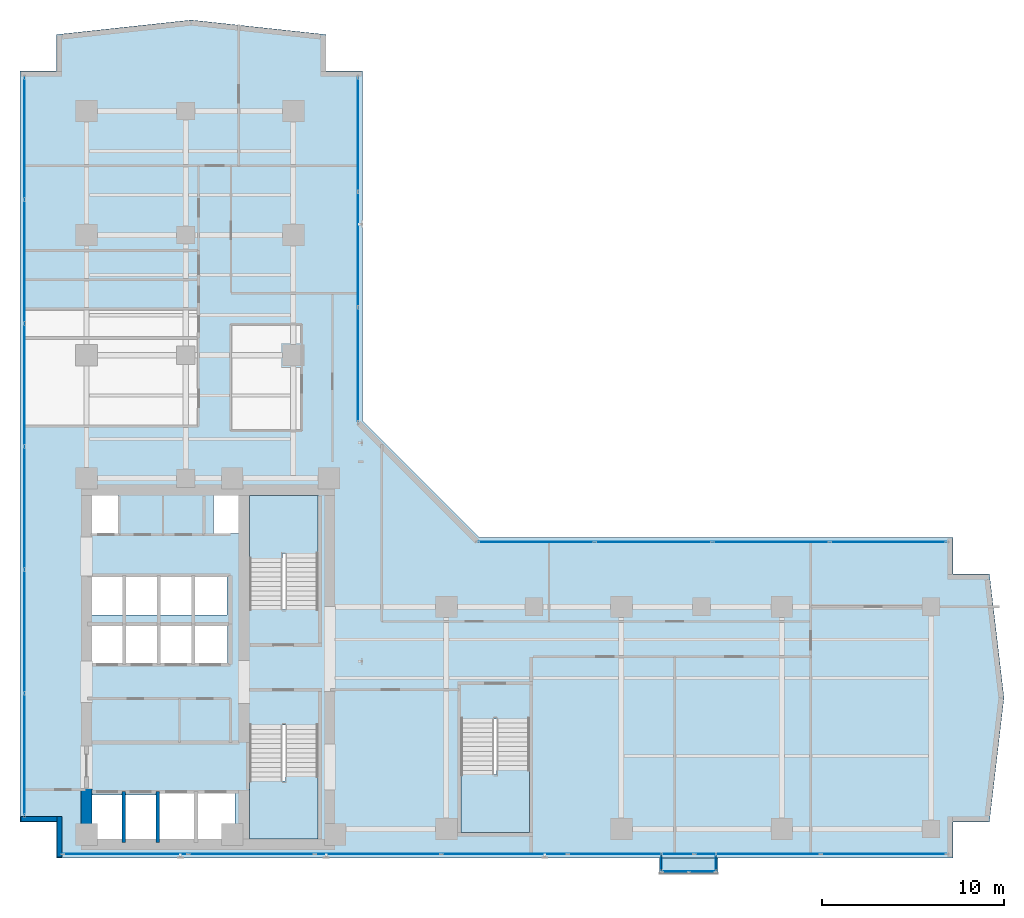
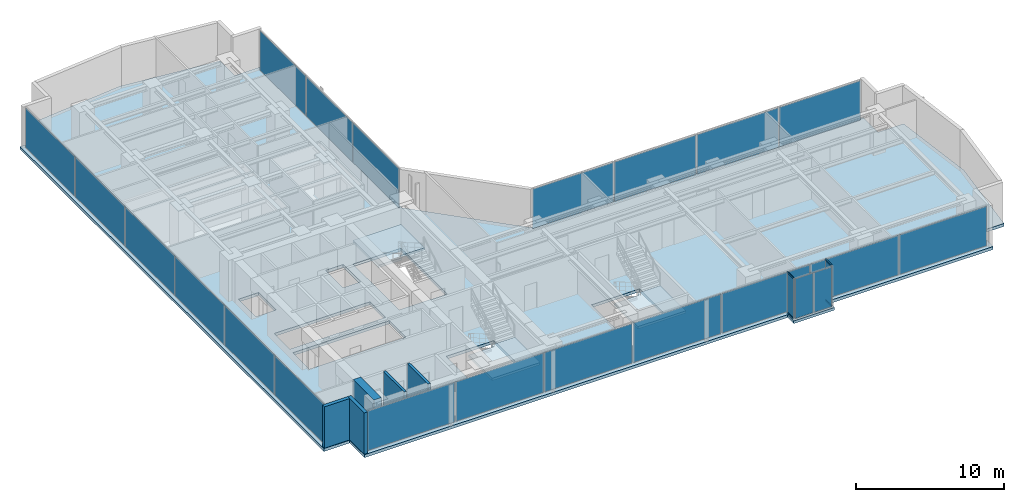
# One storey, part 18 of 26: 24 plates, 5 slabs, 5 walls, 4 members, 10 elements without a shape of their own.
"""IFC4 building model written with IfcOpenShell, lengths in metres."""

from ifc_helpers import new_model, si_unit, direction, frame, frame_2d, origin, origin_with_axes, origin_2d, place, context, subcontext, project, spatial, polyline, rectangle, hollow_rectangle, outline, extrude, source, transform, mapped, material, layer, layer_set, material_profile, profile_set, type_object, element, aggregate, save


model = new_model("IFC4")

# Units and contexts
model_context = context("Model", 3, precision=1e-05, world=origin(), true_north=direction((0.0, 1.0)))
body_context = subcontext(model_context, "Body", "Model", "MODEL_VIEW")
ifc_project = project(units=[si_unit("LENGTHUNIT", "METRE"), si_unit("AREAUNIT", "SQUARE_METRE"), si_unit("VOLUMEUNIT", "CUBIC_METRE"), si_unit("PLANEANGLEUNIT", "RADIAN"), si_unit("MASSUNIT", "GRAM", prefix="KILO")], contexts=[model_context])

# Site, building, storey
site_placement = place(None, origin())
site = spatial("IfcSite", under=ifc_project, at=site_placement, CompositionType="ELEMENT")
building_placement = place(site_placement, origin())
building = spatial("IfcBuilding", under=site, at=building_placement, Name="Kolvaren Waterfront Exchange", CompositionType="ELEMENT")
storey_placement = place(building_placement, frame((0.0, 0.0, 195.60009765625)))
storey = spatial("IfcBuildingStorey", under=building, at=storey_placement, Name="L50", CompositionType="ELEMENT", Elevation=195.60009765625)

# Curtain wall, members
ifc_material_1 = material(Name="Anodised bronze aluminium 6063-T6", Category="aluminium")
ifc_layer_1 = layer(ifc_material_1, 0.219970703125, Name="Anodised bronze aluminium 6063-T6")
ifc_layer_set_1 = layer_set([ifc_layer_1], Name="Anodised bronze aluminium 6063-T6")
curtain_wall_type_1 = type_object("IfcCurtainWallType", Name="ARC-CW-SYS3", PredefinedType="USERDEFINED", material=ifc_layer_set_1)
curtain_wall_1_placement = place(storey_placement, origin())
curtain_wall_1 = element("IfcCurtainWall", 1, at=curtain_wall_1_placement, inside=storey, type_object=curtain_wall_type_1, Name="L50 stick curtain wall CW3 (CW-L50-BOX-W)", ObjectType="STICK CURTAIN WALL", PredefinedType="USERDEFINED")
ifc_material_profile = material_profile(ifc_material_1, hollow_rectangle(XDim=0.06494140625, YDim=0.1298828125, WallThickness=0.00390625, at=origin_2d()), Name="ALU-TRN-130x65x4")
ifc_profile_set = profile_set([ifc_material_profile], Name="Anodised bronze aluminium 6063-T6")
member_type = type_object("IfcMemberType", Name="ARC-CWT-130", PredefinedType="USERDEFINED", material=ifc_profile_set)
shared_shape_1 = source(origin_with_axes(), body_context, "Body", "SweptSolid", [
    extrude(hollow_rectangle(XDim=0.06494140625, YDim=0.1298828125, WallThickness=0.00390625, at=origin_2d()), origin(), (0.0, 0.0, 1.0), 0.829833984375),
])
member_1_placement = place(storey_placement, frame((39.010009765625, 3.764892578125, 0.032470703125), z_axis=(0.0, -1.0, 0.0), x_axis=(1.0, 0.0, 0.0)))
member_1 = element("IfcMember", 2, at=member_1_placement, type_object=member_type, Name="CW3 transom 1.1", ObjectType="TRANSOM", PredefinedType="USERDEFINED", context=body_context, shape_type="MappedRepresentation", body=[
    mapped(shared_shape_1, transform((0.0, 0.0, 0.0), x_axis=(1.0, 0.0, 0.0), y_axis=(0.0, 1.0, 0.0), z_axis=(0.0, 0.0, 1.0), scale=1.0)),
])
member_2_placement = place(storey_placement, frame((39.010009765625, 3.764892578125, 3.387451171875), z_axis=(0.0, -1.0, 0.0), x_axis=(1.0, 0.0, 0.0)))
member_2 = element("IfcMember", 3, at=member_2_placement, type_object=member_type, Name="CW3 transom 1.2", ObjectType="TRANSOM", PredefinedType="USERDEFINED", context=body_context, shape_type="MappedRepresentation", body=[
    mapped(shared_shape_1, transform((0.0, 0.0, 0.0), x_axis=(1.0, 0.0, 0.0), y_axis=(0.0, 1.0, 0.0), z_axis=(0.0, 0.0, 1.0), scale=1.0)),
])

curtain_wall_2_placement = place(storey_placement, origin())
curtain_wall_2 = element("IfcCurtainWall", 4, at=curtain_wall_2_placement, inside=storey, type_object=curtain_wall_type_1, Name="L50 stick curtain wall CW3 (CW-L50-BOX-E)", ObjectType="STICK CURTAIN WALL", PredefinedType="USERDEFINED")
member_3_placement = place(storey_placement, frame((41.989990234375, 2.93505859375, 0.032470703125), z_axis=(0.0, 1.0, 0.0), x_axis=(-1.0, 0.0, 0.0)))
member_3 = element("IfcMember", 5, at=member_3_placement, type_object=member_type, Name="CW3 transom 1.1", ObjectType="TRANSOM", PredefinedType="USERDEFINED", context=body_context, shape_type="MappedRepresentation", body=[
    mapped(shared_shape_1, transform((0.0, 0.0, 0.0), x_axis=(1.0, 0.0, 0.0), y_axis=(0.0, 1.0, 0.0), z_axis=(0.0, 0.0, 1.0), scale=1.0)),
])
member_4_placement = place(storey_placement, frame((41.989990234375, 2.93505859375, 3.387451171875), z_axis=(0.0, 1.0, 0.0), x_axis=(-1.0, 0.0, 0.0)))
member_4 = element("IfcMember", 6, at=member_4_placement, type_object=member_type, Name="CW3 transom 1.2", ObjectType="TRANSOM", PredefinedType="USERDEFINED", context=body_context, shape_type="MappedRepresentation", body=[
    mapped(shared_shape_1, transform((0.0, 0.0, 0.0), x_axis=(1.0, 0.0, 0.0), y_axis=(0.0, 1.0, 0.0), z_axis=(0.0, 0.0, 1.0), scale=1.0)),
])

# Stair, slab
ifc_material_2 = material(Name="Concrete C40/50", Category="concrete")
stair_type = type_object("IfcStairType", Name="ARC-STAIR-3800", PredefinedType="HALF_TURN_STAIR", material=ifc_material_2)
stair_1_placement = place(storey_placement, origin())
stair_1 = element("IfcStair", 7, at=stair_1_placement, inside=storey, type_object=stair_type, Name="L50 Smoke-proof exit stair ST1", PredefinedType="HALF_TURN_STAIR")
ifc_layer_2 = layer(ifc_material_2, 0.199951171875, Name="Concrete C40/50")
ifc_layer_set_2 = layer_set([ifc_layer_2], Name="Concrete C40/50")
slab_type_1 = type_object("IfcSlabType", Name="STR-LANDING-200", PredefinedType="LANDING", material=ifc_layer_set_2)
slab_1_placement = place(storey_placement, frame((0.0, 0.0, 1.77587890625)))
slab_1 = element("IfcSlab", 8, at=slab_1_placement, type_object=slab_type_1, Name="ST1 landing 1", PredefinedType="LANDING", context=body_context, shape_type="SweptSolid", body=[
    extrude(outline(polyline([(16.39990234375, 7.840087890625), (16.39990234375, 4.64990234375), (20.159912109375, 4.64990234375), (20.159912109375, 8.10009765625), (18.360107421875, 8.10009765625), (18.360107421875, 7.840087890625), (16.39990234375, 7.840087890625)])), origin(), (0.0, 0.0, 1.0), 0.199951171875),
])
aggregate(stair_1, [slab_1])

stair_2_placement = place(storey_placement, origin())
stair_2 = element("IfcStair", 9, at=stair_2_placement, inside=storey, type_object=stair_type, Name="L50 Smoke-proof exit stair ST2", PredefinedType="HALF_TURN_STAIR")
slab_2_placement = place(storey_placement, frame((0.0, 0.0, 1.77587890625)))
slab_2 = element("IfcSlab", 10, at=slab_2_placement, type_object=slab_type_1, Name="ST2 landing 1", PredefinedType="LANDING", context=body_context, shape_type="SweptSolid", body=[
    extrude(outline(polyline([(20.159912109375, 20.31005859375), (20.159912109375, 23.5), (16.39990234375, 23.5), (16.39990234375, 20.050048828125), (18.199951171875, 20.050048828125), (18.199951171875, 20.31005859375), (20.159912109375, 20.31005859375)])), origin(), (0.0, 0.0, 1.0), 0.199951171875),
])
aggregate(stair_2, [slab_2])

stair_3_placement = place(storey_placement, origin())
stair_3 = element("IfcStair", 11, at=stair_3_placement, inside=storey, type_object=stair_type, Name="L50 Exit stair ST3", PredefinedType="HALF_TURN_STAIR")
slab_3_placement = place(storey_placement, frame((0.0, 0.0, 1.77587890625)))
slab_3 = element("IfcSlab", 12, at=slab_3_placement, type_object=slab_type_1, Name="ST3 landing 1", PredefinedType="LANDING", context=body_context, shape_type="SweptSolid", body=[
    extrude(outline(polyline([(28.0, 8.18994140625), (28.0, 5.0), (31.760009765625, 5.0), (31.760009765625, 8.449951171875), (29.9599609375, 8.449951171875), (29.9599609375, 8.18994140625), (28.0, 8.18994140625)])), origin(), (0.0, 0.0, 1.0), 0.199951171875),
])
aggregate(stair_3, [slab_3])

# Slabs
ifc_layer_3 = layer(ifc_material_2, 0.239990234375, Name="Concrete C40/50")
ifc_layer_set_3 = layer_set([ifc_layer_3], Name="Concrete C40/50")
slab_type_2 = type_object("IfcSlabType", Name="STR-SLAB-240", PredefinedType="FLOOR", material=ifc_layer_set_3)
slab_4_placement = place(storey_placement, frame((0.0, 0.0, -0.239990234375)))
element("IfcSlab", 13, at=slab_4_placement, inside=storey, type_object=slab_type_2, Name="L50 structural floor slab", PredefinedType="FLOOR", context=body_context, shape_type="SweptSolid", body=[
    extrude(outline(polyline([(5.800048828125, 3.60009765625), (55.0, 3.60009765625), (55.0, 5.60009765625), (57.0, 5.60009765625), (57.800048828125, 12.39990234375), (57.0, 19.199951171875), (55.0, 19.199951171875), (55.0, 21.199951171875), (29.0, 21.199951171875), (22.60009765625, 27.60009765625), (22.60009765625, 46.800048828125), (20.60009765625, 46.800048828125), (20.60009765625, 48.800048828125), (13.199951171875, 49.60009765625), (5.800048828125, 48.800048828125), (5.800048828125, 46.800048828125), (3.800048828125, 46.800048828125), (3.800048828125, 5.60009765625), (5.800048828125, 5.60009765625), (5.800048828125, 3.60009765625)]), holes=[polyline([(11.320068359375, 7.260009765625), (15.610107421875, 7.260009765625), (15.610107421875, 4.5400390625), (7.719970703125, 4.5400390625), (7.719970703125, 7.06005859375), (11.320068359375, 7.06005859375), (11.320068359375, 7.260009765625)]), polyline([(20.159912109375, 10.89990234375), (20.159912109375, 4.64990234375), (16.39990234375, 4.64990234375), (16.39990234375, 10.89990234375), (20.159912109375, 10.89990234375)]), polyline([(31.760009765625, 11.25), (31.760009765625, 5.0), (28.0, 5.0), (28.0, 11.25), (31.760009765625, 11.25)]), polyline([(15.18505859375, 14.239990234375), (7.64501953125, 14.239990234375), (7.64501953125, 16.4599609375), (15.18505859375, 16.4599609375), (15.18505859375, 14.239990234375)]), polyline([(15.159912109375, 16.93994140625), (7.669921875, 16.93994140625), (7.669921875, 19.06005859375), (15.159912109375, 19.06005859375), (15.159912109375, 16.93994140625)]), polyline([(16.39990234375, 23.5), (20.159912109375, 23.5), (20.159912109375, 17.25), (16.39990234375, 17.25), (16.39990234375, 23.5)]), polyline([(7.60009765625, 23.780029296875), (9.179931640625, 23.780029296875), (9.179931640625, 21.419921875), (7.60009765625, 21.419921875), (7.60009765625, 23.780029296875)]), polyline([(15.800048828125, 23.780029296875), (15.800048828125, 21.419921875), (14.419921875, 21.419921875), (14.419921875, 23.780029296875), (15.800048828125, 23.780029296875)])]), origin(), (0.0, 0.0, 1.0), 0.239990234375),
])
ifc_layer_4 = layer(ifc_material_2, 0.219970703125, Name="Concrete C40/50")
ifc_layer_set_4 = layer_set([ifc_layer_4], Name="Concrete C40/50")
slab_type_3 = type_object("IfcSlabType", Name="STR-TERR-220", PredefinedType="FLOOR", material=ifc_layer_set_4)
slab_5_placement = place(storey_placement, frame((0.0, 0.0, -0.22021484375)))
element("IfcSlab", 14, at=slab_5_placement, inside=storey, type_object=slab_type_3, Name="L50 projecting bay-box floor strip", PredefinedType="FLOOR", context=body_context, shape_type="SweptSolid", body=[
    extrude(outline(polyline([(38.89990234375, 2.75), (42.10009765625, 2.75), (42.10009765625, 3.60009765625), (38.89990234375, 3.60009765625), (38.89990234375, 2.75)])), origin(), (0.0, 0.0, 1.0), 0.22021484375),
])

# Plate
ifc_material_3 = material(Name="Bronze tinted bay-box vision glass", Category="aluminium")
ifc_layer_5 = layer(ifc_material_3, 0.02392578125, Name="Bronze tinted bay-box vision glass")
ifc_layer_set_5 = layer_set([ifc_layer_5], Name="Bronze tinted bay-box vision glass")
plate_type_1 = type_object("IfcPlateType", Name="ARC-CWP-24", PredefinedType="CURTAIN_PANEL", material=ifc_layer_set_5)
shared_shape_2 = source(origin_with_axes(), body_context, "Body", "SweptSolid", [
    extrude(rectangle(XDim=0.830078125, YDim=0.02392578125, at=origin_2d()), origin(), (0.0, 0.0, 1.0), 3.2900390625),
])
plate_1_placement = place(storey_placement, frame((39.010009765625, 3.35009765625, 0.06494140625), z_axis=(0.0, 0.0, 1.0), x_axis=(0.0, -1.0, 0.0)))
plate_1 = element("IfcPlate", 15, at=plate_1_placement, type_object=plate_type_1, Name="CW3 panel 1.1", PredefinedType="CURTAIN_PANEL", context=body_context, shape_type="MappedRepresentation", body=[
    mapped(shared_shape_2, transform((0.0, 0.0, 0.0), x_axis=(1.0, 0.0, 0.0), y_axis=(0.0, 1.0, 0.0), z_axis=(0.0, 0.0, 1.0), scale=1.0)),
])

aggregate(curtain_wall_1, [member_1, member_2, plate_1])

plate_2_placement = place(storey_placement, frame((41.989990234375, 3.35009765625, 0.06494140625), z_axis=(0.0, 0.0, 1.0), x_axis=(0.0, 1.0, 0.0)))
plate_2 = element("IfcPlate", 16, at=plate_2_placement, type_object=plate_type_1, Name="CW3 panel 1.1", PredefinedType="CURTAIN_PANEL", context=body_context, shape_type="MappedRepresentation", body=[
    mapped(shared_shape_2, transform((0.0, 0.0, 0.0), x_axis=(1.0, 0.0, 0.0), y_axis=(0.0, 1.0, 0.0), z_axis=(0.0, 0.0, 1.0), scale=1.0)),
])

aggregate(curtain_wall_2, [member_3, member_4, plate_2])

# Curtain wall, plates
curtain_wall_3_placement = place(storey_placement, origin())
curtain_wall_3 = element("IfcCurtainWall", 17, at=curtain_wall_3_placement, inside=storey, type_object=curtain_wall_type_1, Name="L50 stick curtain wall CW3 (CW-L50-BOX)", ObjectType="STICK CURTAIN WALL", PredefinedType="USERDEFINED")
shared_shape_3 = source(origin_with_axes(), body_context, "Body", "SweptSolid", [
    extrude(rectangle(XDim=1.37744140625, YDim=0.02392578125, at=origin_2d()), origin(), (0.0, 0.0, 1.0), 3.2900390625),
])
plate_3_placement = place(storey_placement, frame((39.773681640625, 2.860107421875, 0.06494140625), z_axis=(0.0, 0.0, 1.0), x_axis=(1.0, 0.0, 0.0)))
plate_3 = element("IfcPlate", 18, at=plate_3_placement, type_object=plate_type_1, Name="CW3 panel 1.1", PredefinedType="CURTAIN_PANEL", context=body_context, shape_type="MappedRepresentation", body=[
    mapped(shared_shape_3, transform((0.0, 0.0, 0.0), x_axis=(1.0, 0.0, 0.0), y_axis=(0.0, 1.0, 0.0), z_axis=(0.0, 0.0, 1.0), scale=1.0)),
])
plate_4_placement = place(storey_placement, frame((41.226318359375, 2.860107421875, 0.06494140625), z_axis=(0.0, 0.0, 1.0), x_axis=(1.0, 0.0, 0.0)))
plate_4 = element("IfcPlate", 19, at=plate_4_placement, type_object=plate_type_1, Name="CW3 panel 2.1", PredefinedType="CURTAIN_PANEL", context=body_context, shape_type="MappedRepresentation", body=[
    mapped(shared_shape_3, transform((0.0, 0.0, 0.0), x_axis=(1.0, 0.0, 0.0), y_axis=(0.0, 1.0, 0.0), z_axis=(0.0, 0.0, 1.0), scale=1.0)),
])
aggregate(curtain_wall_3, [plate_3, plate_4])

ifc_layer_6 = layer(ifc_material_1, 0.219970703125, Name="Anodised bronze aluminium 6063-T6")
ifc_layer_set_6 = layer_set([ifc_layer_6], Name="Anodised bronze aluminium 6063-T6")
curtain_wall_type_2 = type_object("IfcCurtainWallType", Name="ARC-CW-SYS1", PredefinedType="USERDEFINED", material=ifc_layer_set_6)
curtain_wall_4_placement = place(storey_placement, origin())
curtain_wall_4 = element("IfcCurtainWall", 20, at=curtain_wall_4_placement, inside=storey, type_object=curtain_wall_type_2, Name="L50 stick curtain wall CW1 (CW-L50-S)", ObjectType="STICK CURTAIN WALL", PredefinedType="USERDEFINED")
ifc_material_4 = material(Name="Bronze solar control vision glass", Category="aluminium")
ifc_layer_7 = layer(ifc_material_4, 0.028076171875, Name="Bronze solar control vision glass")
ifc_layer_set_7 = layer_set([ifc_layer_7], Name="Bronze solar control vision glass")
plate_type_2 = type_object("IfcPlateType", Name="ARC-CWP-28", PredefinedType="CURTAIN_PANEL", material=ifc_layer_set_7)
shared_shape_4 = source(origin_with_axes(), body_context, "Body", "SweptSolid", [
    extrude(rectangle(XDim=6.82275390625, YDim=0.028076171875, at=origin_2d()), origin(), (0.0, 0.0, 1.0), 3.27001953125),
])
plate_5_placement = place(storey_placement, frame((9.59130859375, 3.840087890625, 0.074951171875), z_axis=(0.0, 0.0, 1.0), x_axis=(1.0, 0.0, 0.0)))
plate_5 = element("IfcPlate", 21, at=plate_5_placement, type_object=plate_type_2, Name="CW1 panel 1.1", PredefinedType="CURTAIN_PANEL", context=body_context, shape_type="MappedRepresentation", body=[
    mapped(shared_shape_4, transform((0.0, 0.0, 0.0), x_axis=(1.0, 0.0, 0.0), y_axis=(0.0, 1.0, 0.0), z_axis=(0.0, 0.0, 1.0), scale=1.0)),
])
plate_6_placement = place(storey_placement, frame((51.20849609375, 3.840087890625, 0.074951171875), z_axis=(0.0, 0.0, 1.0), x_axis=(1.0, 0.0, 0.0)))
plate_6 = element("IfcPlate", 22, at=plate_6_placement, type_object=plate_type_2, Name="CW1 panel 7.1", PredefinedType="CURTAIN_PANEL", context=body_context, shape_type="MappedRepresentation", body=[
    mapped(shared_shape_4, transform((0.0, 0.0, 0.0), x_axis=(1.0, 0.0, 0.0), y_axis=(0.0, 1.0, 0.0), z_axis=(0.0, 0.0, 1.0), scale=1.0)),
])
shared_shape_5 = source(origin_with_axes(), body_context, "Body", "SweptSolid", [
    extrude(rectangle(XDim=6.86279296875, YDim=0.028076171875, at=origin_2d()), origin(), (0.0, 0.0, 1.0), 3.27001953125),
])
plate_7_placement = place(storey_placement, frame((16.514404296875, 3.840087890625, 0.074951171875), z_axis=(0.0, 0.0, 1.0), x_axis=(1.0, 0.0, 0.0)))
plate_7 = element("IfcPlate", 23, at=plate_7_placement, type_object=plate_type_2, Name="CW1 panel 2.1", PredefinedType="CURTAIN_PANEL", context=body_context, shape_type="MappedRepresentation", body=[
    mapped(shared_shape_5, transform((0.0, 0.0, 0.0), x_axis=(1.0, 0.0, 0.0), y_axis=(0.0, 1.0, 0.0), z_axis=(0.0, 0.0, 1.0), scale=1.0)),
])
plate_8_placement = place(storey_placement, frame((23.45703125, 3.840087890625, 0.074951171875), z_axis=(0.0, 0.0, 1.0), x_axis=(1.0, 0.0, 0.0)))
plate_8 = element("IfcPlate", 24, at=plate_8_placement, type_object=plate_type_2, Name="CW1 panel 3.1", PredefinedType="CURTAIN_PANEL", context=body_context, shape_type="MappedRepresentation", body=[
    mapped(shared_shape_5, transform((0.0, 0.0, 0.0), x_axis=(1.0, 0.0, 0.0), y_axis=(0.0, 1.0, 0.0), z_axis=(0.0, 0.0, 1.0), scale=1.0)),
])
plate_9_placement = place(storey_placement, frame((30.39990234375, 3.840087890625, 0.074951171875), z_axis=(0.0, 0.0, 1.0), x_axis=(1.0, 0.0, 0.0)))
plate_9 = element("IfcPlate", 25, at=plate_9_placement, type_object=plate_type_2, Name="CW1 panel 4.1", PredefinedType="CURTAIN_PANEL", context=body_context, shape_type="MappedRepresentation", body=[
    mapped(shared_shape_5, transform((0.0, 0.0, 0.0), x_axis=(1.0, 0.0, 0.0), y_axis=(0.0, 1.0, 0.0), z_axis=(0.0, 0.0, 1.0), scale=1.0)),
])
plate_10_placement = place(storey_placement, frame((37.3427734375, 3.840087890625, 0.074951171875), z_axis=(0.0, 0.0, 1.0), x_axis=(1.0, 0.0, 0.0)))
plate_10 = element("IfcPlate", 26, at=plate_10_placement, type_object=plate_type_2, Name="CW1 panel 5.1", PredefinedType="CURTAIN_PANEL", context=body_context, shape_type="MappedRepresentation", body=[
    mapped(shared_shape_5, transform((0.0, 0.0, 0.0), x_axis=(1.0, 0.0, 0.0), y_axis=(0.0, 1.0, 0.0), z_axis=(0.0, 0.0, 1.0), scale=1.0)),
])
plate_11_placement = place(storey_placement, frame((44.28564453125, 3.840087890625, 0.074951171875), z_axis=(0.0, 0.0, 1.0), x_axis=(1.0, 0.0, 0.0)))
plate_11 = element("IfcPlate", 27, at=plate_11_placement, type_object=plate_type_2, Name="CW1 panel 6.1", PredefinedType="CURTAIN_PANEL", context=body_context, shape_type="MappedRepresentation", body=[
    mapped(shared_shape_5, transform((0.0, 0.0, 0.0), x_axis=(1.0, 0.0, 0.0), y_axis=(0.0, 1.0, 0.0), z_axis=(0.0, 0.0, 1.0), scale=1.0)),
])
aggregate(curtain_wall_4, [plate_5, plate_7, plate_8, plate_9, plate_10, plate_11, plate_6])

ifc_material_5 = material(Name="Anodised aluminium 6063-T6", Category="aluminium")
ifc_layer_8 = layer(ifc_material_5, 0.219970703125, Name="Anodised aluminium 6063-T6")
ifc_layer_set_8 = layer_set([ifc_layer_8], Name="Anodised aluminium 6063-T6")
curtain_wall_type_3 = type_object("IfcCurtainWallType", Name="ARC-CW-SYS2", PredefinedType="USERDEFINED", material=ifc_layer_set_8)
curtain_wall_5_placement = place(storey_placement, origin())
curtain_wall_5 = element("IfcCurtainWall", 28, at=curtain_wall_5_placement, inside=storey, type_object=curtain_wall_type_3, Name="L50 stick curtain wall CW2 (CW-L50-W)", ObjectType="STICK CURTAIN WALL", PredefinedType="USERDEFINED")
ifc_material_6 = material(Name="Acoustic laminated vision glass", Category="glass")
ifc_layer_9 = layer(ifc_material_6, 0.031982421875, Name="Acoustic laminated vision glass")
ifc_layer_set_9 = layer_set([ifc_layer_9], Name="Acoustic laminated vision glass")
plate_type_3 = type_object("IfcPlateType", Name="ARC-CWP-32", PredefinedType="CURTAIN_PANEL", material=ifc_layer_set_9)
shared_shape_6 = source(origin_with_axes(), body_context, "Body", "SweptSolid", [
    extrude(rectangle(XDim=6.646728515625, YDim=0.031982421875, at=origin_2d()), origin(), (0.0, 0.0, 1.0), 3.27001953125),
])
plate_12_placement = place(storey_placement, frame((4.0400390625, 9.30322265625, 0.074951171875), z_axis=(0.0, 0.0, 1.0), x_axis=(0.0, 1.0, 0.0)))
plate_12 = element("IfcPlate", 29, at=plate_12_placement, type_object=plate_type_3, Name="CW2 panel 1.1", PredefinedType="CURTAIN_PANEL", context=body_context, shape_type="MappedRepresentation", body=[
    mapped(shared_shape_6, transform((0.0, 0.0, 0.0), x_axis=(1.0, 0.0, 0.0), y_axis=(0.0, 1.0, 0.0), z_axis=(0.0, 0.0, 1.0), scale=1.0)),
])
plate_13_placement = place(storey_placement, frame((4.0400390625, 43.0966796875, 0.074951171875), z_axis=(0.0, 0.0, 1.0), x_axis=(0.0, 1.0, 0.0)))
plate_13 = element("IfcPlate", 30, at=plate_13_placement, type_object=plate_type_3, Name="CW2 panel 6.1", PredefinedType="CURTAIN_PANEL", context=body_context, shape_type="MappedRepresentation", body=[
    mapped(shared_shape_6, transform((0.0, 0.0, 0.0), x_axis=(1.0, 0.0, 0.0), y_axis=(0.0, 1.0, 0.0), z_axis=(0.0, 0.0, 1.0), scale=1.0)),
])
shared_shape_7 = source(origin_with_axes(), body_context, "Body", "SweptSolid", [
    extrude(rectangle(XDim=6.686767578125, YDim=0.031982421875, at=origin_2d()), origin(), (0.0, 0.0, 1.0), 3.27001953125),
])
plate_14_placement = place(storey_placement, frame((4.0400390625, 16.050048828125, 0.074951171875), z_axis=(0.0, 0.0, 1.0), x_axis=(0.0, 1.0, 0.0)))
plate_14 = element("IfcPlate", 31, at=plate_14_placement, type_object=plate_type_3, Name="CW2 panel 2.1", PredefinedType="CURTAIN_PANEL", context=body_context, shape_type="MappedRepresentation", body=[
    mapped(shared_shape_7, transform((0.0, 0.0, 0.0), x_axis=(1.0, 0.0, 0.0), y_axis=(0.0, 1.0, 0.0), z_axis=(0.0, 0.0, 1.0), scale=1.0)),
])
plate_15_placement = place(storey_placement, frame((4.0400390625, 22.816650390625, 0.074951171875), z_axis=(0.0, 0.0, 1.0), x_axis=(0.0, 1.0, 0.0)))
plate_15 = element("IfcPlate", 32, at=plate_15_placement, type_object=plate_type_3, Name="CW2 panel 3.1", PredefinedType="CURTAIN_PANEL", context=body_context, shape_type="MappedRepresentation", body=[
    mapped(shared_shape_7, transform((0.0, 0.0, 0.0), x_axis=(1.0, 0.0, 0.0), y_axis=(0.0, 1.0, 0.0), z_axis=(0.0, 0.0, 1.0), scale=1.0)),
])
plate_16_placement = place(storey_placement, frame((4.0400390625, 29.583251953125, 0.074951171875), z_axis=(0.0, 0.0, 1.0), x_axis=(0.0, 1.0, 0.0)))
plate_16 = element("IfcPlate", 33, at=plate_16_placement, type_object=plate_type_3, Name="CW2 panel 4.1", PredefinedType="CURTAIN_PANEL", context=body_context, shape_type="MappedRepresentation", body=[
    mapped(shared_shape_7, transform((0.0, 0.0, 0.0), x_axis=(1.0, 0.0, 0.0), y_axis=(0.0, 1.0, 0.0), z_axis=(0.0, 0.0, 1.0), scale=1.0)),
])
plate_17_placement = place(storey_placement, frame((4.0400390625, 36.35009765625, 0.074951171875), z_axis=(0.0, 0.0, 1.0), x_axis=(0.0, 1.0, 0.0)))
plate_17 = element("IfcPlate", 34, at=plate_17_placement, type_object=plate_type_3, Name="CW2 panel 5.1", PredefinedType="CURTAIN_PANEL", context=body_context, shape_type="MappedRepresentation", body=[
    mapped(shared_shape_7, transform((0.0, 0.0, 0.0), x_axis=(1.0, 0.0, 0.0), y_axis=(0.0, 1.0, 0.0), z_axis=(0.0, 0.0, 1.0), scale=1.0)),
])
aggregate(curtain_wall_5, [plate_12, plate_14, plate_15, plate_16, plate_17, plate_13])

curtain_wall_6_placement = place(storey_placement, origin())
curtain_wall_6 = element("IfcCurtainWall", 35, at=curtain_wall_6_placement, inside=storey, type_object=curtain_wall_type_2, Name="L50 stick curtain wall CW1 (CW-L50-NE)", ObjectType="STICK CURTAIN WALL", PredefinedType="USERDEFINED")
shared_shape_8 = source(origin_with_axes(), body_context, "Body", "SweptSolid", [
    extrude(rectangle(XDim=6.216552734375, YDim=0.028076171875, at=origin_2d()), origin(), (0.0, 0.0, 1.0), 3.27001953125),
])
plate_18_placement = place(storey_placement, frame((22.360107421875, 30.67822265625, 0.074951171875), z_axis=(0.0, 0.0, 1.0), x_axis=(0.0, 1.0, 0.0)))
plate_18 = element("IfcPlate", 36, at=plate_18_placement, type_object=plate_type_2, Name="CW1 panel 1.1", PredefinedType="CURTAIN_PANEL", context=body_context, shape_type="MappedRepresentation", body=[
    mapped(shared_shape_8, transform((0.0, 0.0, 0.0), x_axis=(1.0, 0.0, 0.0), y_axis=(0.0, 1.0, 0.0), z_axis=(0.0, 0.0, 1.0), scale=1.0)),
])
plate_19_placement = place(storey_placement, frame((22.360107421875, 43.311767578125, 0.074951171875), z_axis=(0.0, 0.0, 1.0), x_axis=(0.0, 1.0, 0.0)))
plate_19 = element("IfcPlate", 37, at=plate_19_placement, type_object=plate_type_2, Name="CW1 panel 3.1", PredefinedType="CURTAIN_PANEL", context=body_context, shape_type="MappedRepresentation", body=[
    mapped(shared_shape_8, transform((0.0, 0.0, 0.0), x_axis=(1.0, 0.0, 0.0), y_axis=(0.0, 1.0, 0.0), z_axis=(0.0, 0.0, 1.0), scale=1.0)),
])
shared_shape_9 = source(origin_with_axes(), body_context, "Body", "SweptSolid", [
    extrude(rectangle(XDim=6.256591796875, YDim=0.028076171875, at=origin_2d()), origin(), (0.0, 0.0, 1.0), 3.27001953125),
])
plate_20_placement = place(storey_placement, frame((22.360107421875, 36.9951171875, 0.074951171875), z_axis=(0.0, 0.0, 1.0), x_axis=(0.0, 1.0, 0.0)))
plate_20 = element("IfcPlate", 38, at=plate_20_placement, type_object=plate_type_2, Name="CW1 panel 2.1", PredefinedType="CURTAIN_PANEL", context=body_context, shape_type="MappedRepresentation", body=[
    mapped(shared_shape_9, transform((0.0, 0.0, 0.0), x_axis=(1.0, 0.0, 0.0), y_axis=(0.0, 1.0, 0.0), z_axis=(0.0, 0.0, 1.0), scale=1.0)),
])
aggregate(curtain_wall_6, [plate_18, plate_20, plate_19])

curtain_wall_7_placement = place(storey_placement, origin())
curtain_wall_7 = element("IfcCurtainWall", 39, at=curtain_wall_7_placement, inside=storey, type_object=curtain_wall_type_2, Name="L50 stick curtain wall CW1 (CW-L50-EN)", ObjectType="STICK CURTAIN WALL", PredefinedType="USERDEFINED")
shared_shape_10 = source(origin_with_axes(), body_context, "Body", "SweptSolid", [
    extrude(rectangle(XDim=6.33251953125, YDim=0.028076171875, at=origin_2d()), origin(), (0.0, 0.0, 1.0), 3.27001953125),
])
plate_21_placement = place(storey_placement, frame((32.13623046875, 20.9599609375, 0.074951171875), z_axis=(0.0, 0.0, 1.0), x_axis=(1.0, 0.0, 0.0)))
plate_21 = element("IfcPlate", 40, at=plate_21_placement, type_object=plate_type_2, Name="CW1 panel 1.1", PredefinedType="CURTAIN_PANEL", context=body_context, shape_type="MappedRepresentation", body=[
    mapped(shared_shape_10, transform((0.0, 0.0, 0.0), x_axis=(1.0, 0.0, 0.0), y_axis=(0.0, 1.0, 0.0), z_axis=(0.0, 0.0, 1.0), scale=1.0)),
])
plate_22_placement = place(storey_placement, frame((51.453857421875, 20.9599609375, 0.074951171875), z_axis=(0.0, 0.0, 1.0), x_axis=(1.0, 0.0, 0.0)))
plate_22 = element("IfcPlate", 41, at=plate_22_placement, type_object=plate_type_2, Name="CW1 panel 4.1", PredefinedType="CURTAIN_PANEL", context=body_context, shape_type="MappedRepresentation", body=[
    mapped(shared_shape_10, transform((0.0, 0.0, 0.0), x_axis=(1.0, 0.0, 0.0), y_axis=(0.0, 1.0, 0.0), z_axis=(0.0, 0.0, 1.0), scale=1.0)),
])
shared_shape_11 = source(origin_with_axes(), body_context, "Body", "SweptSolid", [
    extrude(rectangle(XDim=6.37255859375, YDim=0.028076171875, at=origin_2d()), origin(), (0.0, 0.0, 1.0), 3.27001953125),
])
plate_23_placement = place(storey_placement, frame((38.56884765625, 20.9599609375, 0.074951171875), z_axis=(0.0, 0.0, 1.0), x_axis=(1.0, 0.0, 0.0)))
plate_23 = element("IfcPlate", 42, at=plate_23_placement, type_object=plate_type_2, Name="CW1 panel 2.1", PredefinedType="CURTAIN_PANEL", context=body_context, shape_type="MappedRepresentation", body=[
    mapped(shared_shape_11, transform((0.0, 0.0, 0.0), x_axis=(1.0, 0.0, 0.0), y_axis=(0.0, 1.0, 0.0), z_axis=(0.0, 0.0, 1.0), scale=1.0)),
])
plate_24_placement = place(storey_placement, frame((45.021240234375, 20.9599609375, 0.074951171875), z_axis=(0.0, 0.0, 1.0), x_axis=(1.0, 0.0, 0.0)))
plate_24 = element("IfcPlate", 43, at=plate_24_placement, type_object=plate_type_2, Name="CW1 panel 3.1", PredefinedType="CURTAIN_PANEL", context=body_context, shape_type="MappedRepresentation", body=[
    mapped(shared_shape_11, transform((0.0, 0.0, 0.0), x_axis=(1.0, 0.0, 0.0), y_axis=(0.0, 1.0, 0.0), z_axis=(0.0, 0.0, 1.0), scale=1.0)),
])
aggregate(curtain_wall_7, [plate_21, plate_23, plate_24, plate_22])

# Walls
ifc_material_7 = material(Name="Precast concrete C40/50", Category="concrete")
ifc_layer_10 = layer(ifc_material_7, 0.280029296875, Name="Precast concrete C40/50")
ifc_layer_set_10 = layer_set([ifc_layer_10], Name="Precast concrete C40/50")
wall_type_1 = type_object("IfcWallType", Name="ARC-EXT-TERR-280", PredefinedType="SOLIDWALL", material=ifc_layer_set_10)
wall_1_placement = place(storey_placement, frame((5.9599609375, 3.659912109375, 0.0), z_axis=(0.0, 0.0, 1.0), x_axis=(0.0, 1.0, 0.0)))
element("IfcWall", 44, at=wall_1_placement, inside=storey, type_object=wall_type_1, Name="L50 notched corner spandrel pier SW-A", PredefinedType="SOLIDWALL", context=body_context, shape_type="SweptSolid", body=[
    extrude(rectangle(XDim=2.239990234375, YDim=0.280029296875, at=frame_2d((1.1201171875, 0.0))), origin(), (0.0, 0.0, 1.0), 3.419921875),
])
wall_2_placement = place(storey_placement, frame((3.860107421875, 5.760009765625, 0.0), z_axis=(0.0, 0.0, 1.0), x_axis=(1.0, 0.0, 0.0)))
element("IfcWall", 45, at=wall_2_placement, inside=storey, type_object=wall_type_1, Name="L50 notched corner spandrel pier SW-B", PredefinedType="SOLIDWALL", context=body_context, shape_type="SweptSolid", body=[
    extrude(rectangle(XDim=1.9599609375, YDim=0.280029296875, at=frame_2d((0.97998046875, 0.0))), origin(), (0.0, 0.0, 1.0), 3.419921875),
])
ifc_layer_11 = layer(ifc_material_2, 0.199951171875, Name="Concrete C40/50")
ifc_layer_set_11 = layer_set([ifc_layer_11], Name="Concrete C40/50")
wall_type_2 = type_object("IfcWallType", Name="ARC-SHAFT-200", PredefinedType="PARTITIONING", material=ifc_layer_set_11)
for number, where, z_axis, x_axis, name in (
    (46, (9.5, 4.449951171875, 0.0), (0.0, 0.0, 1.0), (0.0, 1.0, 0.0), "L50 interior wall PW-L50-SH1-DIV-95"),
    (47, (11.360107421875, 4.449951171875, 0.0), (0.0, 0.0, 1.0), (0.0, 1.0, 0.0), "L50 interior wall PW-L50-SH1-DIV-113"),
):
    element("IfcWall", number, at=place(storey_placement, frame(where, z_axis=z_axis, x_axis=x_axis)), inside=storey, type_object=wall_type_2, Name=name, PredefinedType="PARTITIONING", context=body_context, shape_type="SweptSolid", body=[
        extrude(rectangle(XDim=2.800048828125, YDim=0.199951171875, at=frame_2d((1.39990234375, 0.0))), origin(), (0.0, 0.0, 1.0), 3.419921875),
    ])
ifc_material_8 = material(Name="Concrete C60/75", Category="concrete")
ifc_layer_12 = layer(ifc_material_8, 0.60009765625, Name="Concrete C60/75")
ifc_layer_set_12 = layer_set([ifc_layer_12], Name="Concrete C60/75")
wall_type_3 = type_object("IfcWallType", Name="STR-CWALL-600", PredefinedType="SHEAR", material=ifc_layer_set_12)
wall_3_placement = place(storey_placement, frame((7.449951171875, 4.64990234375, 0.0), z_axis=(0.0, 0.0, 1.0), x_axis=(0.0, 1.0, 0.0)))
element("IfcWall", 48, at=wall_3_placement, inside=storey, type_object=wall_type_3, Name="L50 rear-core shear wall W1", PredefinedType="SHEAR", context=body_context, shape_type="SweptSolid", body=[
    extrude(rectangle(XDim=2.800048828125, YDim=0.60009765625, at=frame_2d((1.39990234375, 0.0))), origin(), (0.0, 0.0, 1.0), 3.419921875),
])

save(model, "model.ifc")
